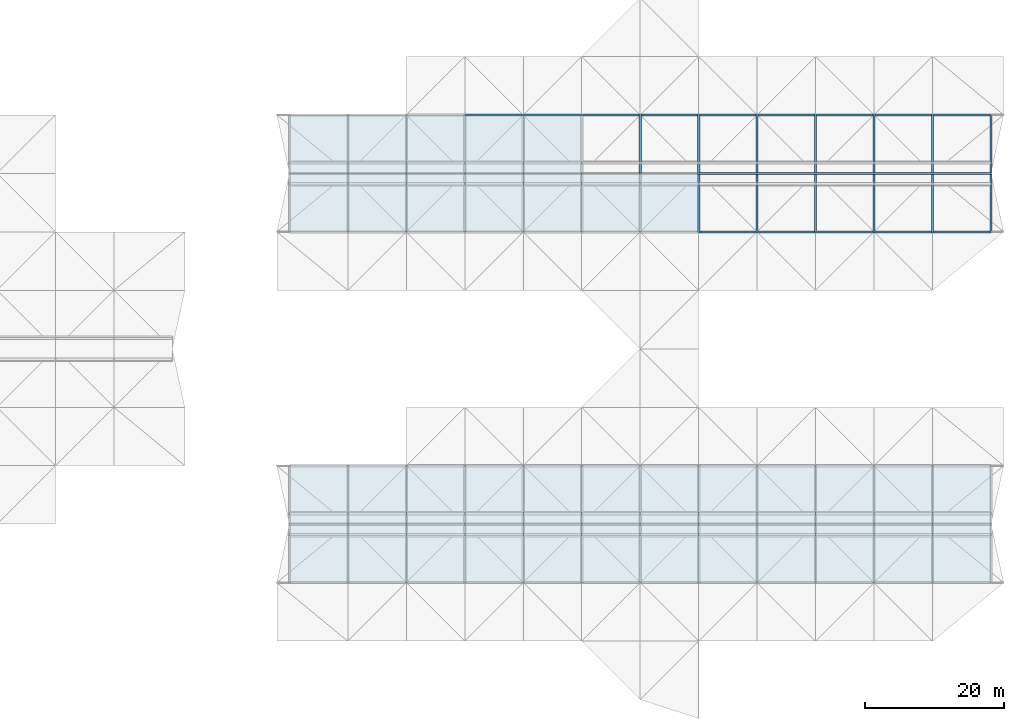
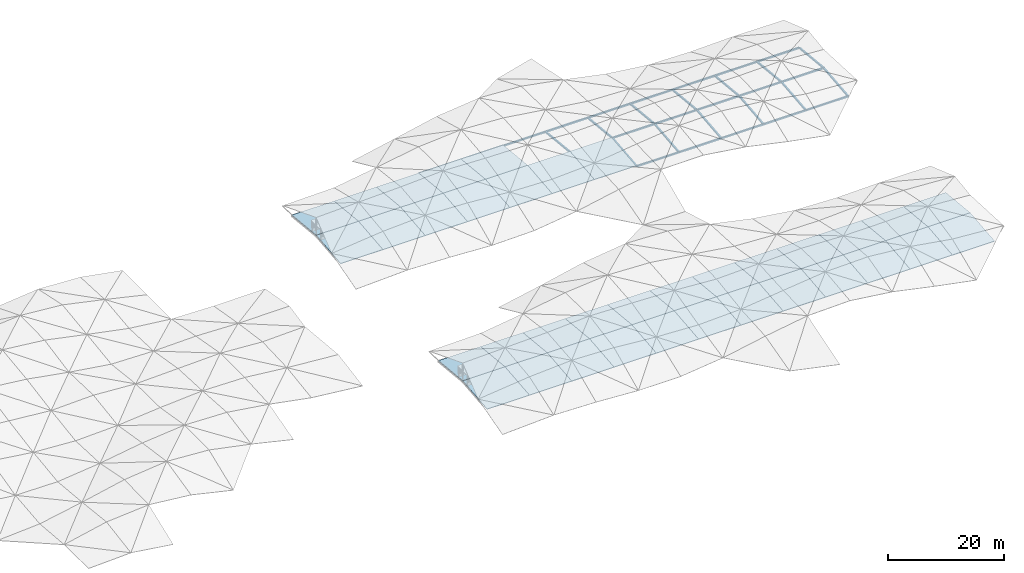
# One storey, part 2 of 46: 36 slabs, 32 members.
"""IFC4 building model written with IfcOpenShell, lengths in metres."""

from ifc_helpers import new_model, si_unit, direction, frame, origin, origin_2d, place, context, subcontext, project, spatial, polyline, hollow_rectangle, outline, extrude, material, layer, layer_set, material_profile, profile_set, type_object, element, save


model = new_model("IFC4")

# Units and contexts
model_context = context("Model", 3, precision=1e-05, world=origin(), true_north=direction((0.0, 1.0)))
body_context = subcontext(model_context, "Body", "Model", "MODEL_VIEW")
ifc_project = project(units=[si_unit("LENGTHUNIT", "METRE"), si_unit("AREAUNIT", "SQUARE_METRE"), si_unit("VOLUMEUNIT", "CUBIC_METRE"), si_unit("PLANEANGLEUNIT", "RADIAN"), si_unit("MASSUNIT", "GRAM", prefix="KILO")], contexts=[model_context])

# Site, building, storey
site_placement = place(None, origin())
site = spatial("IfcSite", under=ifc_project, at=site_placement, CompositionType="ELEMENT")
building_placement = place(site_placement, origin())
building = spatial("IfcBuilding", under=site, at=building_placement, Name="Rain Tree Exposition and Congress Centre", CompositionType="ELEMENT")
storey_placement = place(building_placement, frame((0.0, 0.0, 27.0)))
storey = spatial("IfcBuildingStorey", under=building, at=storey_placement, Name="ROOF VAULT CREST", CompositionType="ELEMENT", Elevation=27.0)

# Members
ifc_material_1 = material(Name="Steel S355J2H", Category="steel")
ifc_material_profile = material_profile(ifc_material_1, hollow_rectangle(XDim=0.300048828125, YDim=0.300048828125, WallThickness=0.009033203125, at=origin_2d()), Name="RHS 300x300x9")
ifc_profile_set = profile_set([ifc_material_profile], Name="Steel S355J2H")
member_type = type_object("IfcMemberType", Name="Steel chord member RHS 300x300x9", PredefinedType="CHORD", material=ifc_profile_set)
for number, where, z_axis, x_axis, name in (
    (1, (201.60009765625, 168.0, 0.40087890625), (1.0, 0.0, 0.0), (0.0, 1.0, 0.0), "Top chord 104"),
    (2, (210.0, 168.0, 0.40087890625), (1.0, 0.0, 0.0), (0.0, 1.0, 0.0), "Top chord 105"),
):
    element("IfcMember", number, at=place(storey_placement, frame(where, z_axis=z_axis, x_axis=x_axis)), inside=storey, type_object=member_type, Name=name, PredefinedType="CHORD", context=body_context, shape_type="SweptSolid", body=[
        extrude(hollow_rectangle(XDim=0.300048828125, YDim=0.300048828125, WallThickness=0.009033203125, at=origin_2d()), origin(), (0.0, 0.0, 1.0), 8.39990234375),
    ])
member_1_placement = place(storey_placement, frame((218.39990234375, 168.0, 0.40087890625), z_axis=(1.0, 0.0, 0.0), x_axis=(0.0, 1.0, 0.0)))
element("IfcMember", 3, at=member_1_placement, inside=storey, type_object=member_type, Name="Top chord 106", PredefinedType="CHORD", context=body_context, shape_type="SweptSolid", body=[
    extrude(hollow_rectangle(XDim=0.300048828125, YDim=0.300048828125, WallThickness=0.009033203125, at=origin_2d()), origin(), (0.0, 0.0, 1.0), 8.400146484375),
])
member_2_placement = place(storey_placement, frame((226.800048828125, 168.0, 0.40087890625), z_axis=(1.0, 0.0, 0.0), x_axis=(0.0, 1.0, 0.0)))
element("IfcMember", 4, at=member_2_placement, inside=storey, type_object=member_type, Name="Top chord 107", PredefinedType="CHORD", context=body_context, shape_type="SweptSolid", body=[
    extrude(hollow_rectangle(XDim=0.300048828125, YDim=0.300048828125, WallThickness=0.009033203125, at=origin_2d()), origin(), (0.0, 0.0, 1.0), 8.39990234375),
])
member_3_placement = place(storey_placement, frame((235.199951171875, 168.0, 0.40087890625), z_axis=(1.0, 0.0, 0.0), x_axis=(0.0, 1.0, 0.0)))
element("IfcMember", 5, at=member_3_placement, inside=storey, type_object=member_type, Name="Top chord 108", PredefinedType="CHORD", context=body_context, shape_type="SweptSolid", body=[
    extrude(hollow_rectangle(XDim=0.300048828125, YDim=0.300048828125, WallThickness=0.009033203125, at=origin_2d()), origin(), (0.0, 0.0, 1.0), 8.400146484375),
])
for number, where, z_axis, x_axis, name in (
    (6, (201.60009765625, 176.39990234375, 1.25), (1.0, 0.0, 0.0), (0.0, 1.0, 0.0), "Top chord 116"),
    (7, (210.0, 176.39990234375, 1.25), (1.0, 0.0, 0.0), (0.0, 1.0, 0.0), "Top chord 117"),
):
    element("IfcMember", number, at=place(storey_placement, frame(where, z_axis=z_axis, x_axis=x_axis)), inside=storey, type_object=member_type, Name=name, PredefinedType="CHORD", context=body_context, shape_type="SweptSolid", body=[
        extrude(hollow_rectangle(XDim=0.300048828125, YDim=0.300048828125, WallThickness=0.009033203125, at=origin_2d()), origin(), (0.0, 0.0, 1.0), 8.39990234375),
    ])
member_4_placement = place(storey_placement, frame((218.39990234375, 176.39990234375, 1.25), z_axis=(1.0, 0.0, 0.0), x_axis=(0.0, 1.0, 0.0)))
element("IfcMember", 8, at=member_4_placement, inside=storey, type_object=member_type, Name="Top chord 118", PredefinedType="CHORD", context=body_context, shape_type="SweptSolid", body=[
    extrude(hollow_rectangle(XDim=0.300048828125, YDim=0.300048828125, WallThickness=0.009033203125, at=origin_2d()), origin(), (0.0, 0.0, 1.0), 8.400146484375),
])
member_5_placement = place(storey_placement, frame((226.800048828125, 176.39990234375, 1.25), z_axis=(1.0, 0.0, 0.0), x_axis=(0.0, 1.0, 0.0)))
element("IfcMember", 9, at=member_5_placement, inside=storey, type_object=member_type, Name="Top chord 119", PredefinedType="CHORD", context=body_context, shape_type="SweptSolid", body=[
    extrude(hollow_rectangle(XDim=0.300048828125, YDim=0.300048828125, WallThickness=0.009033203125, at=origin_2d()), origin(), (0.0, 0.0, 1.0), 8.39990234375),
])
member_6_placement = place(storey_placement, frame((235.199951171875, 176.39990234375, 1.25), z_axis=(1.0, 0.0, 0.0), x_axis=(0.0, 1.0, 0.0)))
element("IfcMember", 10, at=member_6_placement, inside=storey, type_object=member_type, Name="Top chord 120", PredefinedType="CHORD", context=body_context, shape_type="SweptSolid", body=[
    extrude(hollow_rectangle(XDim=0.300048828125, YDim=0.300048828125, WallThickness=0.009033203125, at=origin_2d()), origin(), (0.0, 0.0, 1.0), 8.400146484375),
])
member_7_placement = place(storey_placement, frame((168.0, 184.800048828125, 0.40087890625), z_axis=(1.0, 0.0, 0.0), x_axis=(0.0, 1.0, 0.0)))
element("IfcMember", 11, at=member_7_placement, inside=storey, type_object=member_type, Name="Top chord 124", PredefinedType="CHORD", context=body_context, shape_type="SweptSolid", body=[
    extrude(hollow_rectangle(XDim=0.300048828125, YDim=0.300048828125, WallThickness=0.009033203125, at=origin_2d()), origin(), (0.0, 0.0, 1.0), 8.39990234375),
])
member_8_placement = place(storey_placement, frame((176.39990234375, 184.800048828125, 0.40087890625), z_axis=(1.0, 0.0, 0.0), x_axis=(0.0, 1.0, 0.0)))
element("IfcMember", 12, at=member_8_placement, inside=storey, type_object=member_type, Name="Top chord 125", PredefinedType="CHORD", context=body_context, shape_type="SweptSolid", body=[
    extrude(hollow_rectangle(XDim=0.300048828125, YDim=0.300048828125, WallThickness=0.009033203125, at=origin_2d()), origin(), (0.0, 0.0, 1.0), 8.400146484375),
])
member_9_placement = place(storey_placement, frame((184.800048828125, 184.800048828125, 0.40087890625), z_axis=(1.0, 0.0, 0.0), x_axis=(0.0, 1.0, 0.0)))
element("IfcMember", 13, at=member_9_placement, inside=storey, type_object=member_type, Name="Top chord 126", PredefinedType="CHORD", context=body_context, shape_type="SweptSolid", body=[
    extrude(hollow_rectangle(XDim=0.300048828125, YDim=0.300048828125, WallThickness=0.009033203125, at=origin_2d()), origin(), (0.0, 0.0, 1.0), 8.39990234375),
])
member_10_placement = place(storey_placement, frame((193.199951171875, 184.800048828125, 0.40087890625), z_axis=(1.0, 0.0, 0.0), x_axis=(0.0, 1.0, 0.0)))
element("IfcMember", 14, at=member_10_placement, inside=storey, type_object=member_type, Name="Top chord 127", PredefinedType="CHORD", context=body_context, shape_type="SweptSolid", body=[
    extrude(hollow_rectangle(XDim=0.300048828125, YDim=0.300048828125, WallThickness=0.009033203125, at=origin_2d()), origin(), (0.0, 0.0, 1.0), 8.400146484375),
])
for number, where, z_axis, x_axis, name in (
    (15, (201.60009765625, 184.800048828125, 0.40087890625), (1.0, 0.0, 0.0), (0.0, 1.0, 0.0), "Top chord 128"),
    (16, (210.0, 184.800048828125, 0.40087890625), (1.0, 0.0, 0.0), (0.0, 1.0, 0.0), "Top chord 129"),
):
    element("IfcMember", number, at=place(storey_placement, frame(where, z_axis=z_axis, x_axis=x_axis)), inside=storey, type_object=member_type, Name=name, PredefinedType="CHORD", context=body_context, shape_type="SweptSolid", body=[
        extrude(hollow_rectangle(XDim=0.300048828125, YDim=0.300048828125, WallThickness=0.009033203125, at=origin_2d()), origin(), (0.0, 0.0, 1.0), 8.39990234375),
    ])
member_11_placement = place(storey_placement, frame((218.39990234375, 184.800048828125, 0.40087890625), z_axis=(1.0, 0.0, 0.0), x_axis=(0.0, 1.0, 0.0)))
element("IfcMember", 17, at=member_11_placement, inside=storey, type_object=member_type, Name="Top chord 130", PredefinedType="CHORD", context=body_context, shape_type="SweptSolid", body=[
    extrude(hollow_rectangle(XDim=0.300048828125, YDim=0.300048828125, WallThickness=0.009033203125, at=origin_2d()), origin(), (0.0, 0.0, 1.0), 8.400146484375),
])
member_12_placement = place(storey_placement, frame((226.800048828125, 184.800048828125, 0.40087890625), z_axis=(1.0, 0.0, 0.0), x_axis=(0.0, 1.0, 0.0)))
element("IfcMember", 18, at=member_12_placement, inside=storey, type_object=member_type, Name="Top chord 131", PredefinedType="CHORD", context=body_context, shape_type="SweptSolid", body=[
    extrude(hollow_rectangle(XDim=0.300048828125, YDim=0.300048828125, WallThickness=0.009033203125, at=origin_2d()), origin(), (0.0, 0.0, 1.0), 8.39990234375),
])
member_13_placement = place(storey_placement, frame((235.199951171875, 184.800048828125, 0.40087890625), z_axis=(1.0, 0.0, 0.0), x_axis=(0.0, 1.0, 0.0)))
element("IfcMember", 19, at=member_13_placement, inside=storey, type_object=member_type, Name="Top chord 132", PredefinedType="CHORD", context=body_context, shape_type="SweptSolid", body=[
    extrude(hollow_rectangle(XDim=0.300048828125, YDim=0.300048828125, WallThickness=0.009033203125, at=origin_2d()), origin(), (0.0, 0.0, 1.0), 8.400146484375),
])
member_14_placement = place(storey_placement, frame((193.199951171875, 176.39990234375, 1.25), z_axis=(0.0, 0.994929826536, -0.100571567899), x_axis=(-1.0, 0.0, 0.0)))
element("IfcMember", 20, at=member_14_placement, inside=storey, type_object=member_type, Name="Top chord 238", PredefinedType="CHORD", context=body_context, shape_type="SweptSolid", body=[
    extrude(hollow_rectangle(XDim=0.300048828125, YDim=0.300048828125, WallThickness=0.009033203125, at=origin_2d()), origin(), (0.0, 0.0, 1.0), 8.44287109375),
])
member_15_placement = place(storey_placement, frame((201.60009765625, 168.0, 0.40087890625), z_axis=(0.0, 0.994929534043, 0.100574461414), x_axis=(-1.0, 0.0, 0.0)))
element("IfcMember", 21, at=member_15_placement, inside=storey, type_object=member_type, Name="Top chord 249", PredefinedType="CHORD", context=body_context, shape_type="SweptSolid", body=[
    extrude(hollow_rectangle(XDim=0.300048828125, YDim=0.300048828125, WallThickness=0.009033203125, at=origin_2d()), origin(), (0.0, 0.0, 1.0), 8.442626953125),
])
member_16_placement = place(storey_placement, frame((201.60009765625, 176.39990234375, 1.25), z_axis=(0.0, 0.994929826536, -0.100571567899), x_axis=(-1.0, 0.0, 0.0)))
element("IfcMember", 22, at=member_16_placement, inside=storey, type_object=member_type, Name="Top chord 250", PredefinedType="CHORD", context=body_context, shape_type="SweptSolid", body=[
    extrude(hollow_rectangle(XDim=0.300048828125, YDim=0.300048828125, WallThickness=0.009033203125, at=origin_2d()), origin(), (0.0, 0.0, 1.0), 8.44287109375),
])
member_17_placement = place(storey_placement, frame((210.0, 168.0, 0.40087890625), z_axis=(0.0, 0.994929534043, 0.100574461414), x_axis=(-1.0, 0.0, 0.0)))
element("IfcMember", 23, at=member_17_placement, inside=storey, type_object=member_type, Name="Top chord 261", PredefinedType="CHORD", context=body_context, shape_type="SweptSolid", body=[
    extrude(hollow_rectangle(XDim=0.300048828125, YDim=0.300048828125, WallThickness=0.009033203125, at=origin_2d()), origin(), (0.0, 0.0, 1.0), 8.442626953125),
])
member_18_placement = place(storey_placement, frame((210.0, 176.39990234375, 1.25), z_axis=(0.0, 0.994929826536, -0.100571567899), x_axis=(-1.0, 0.0, 0.0)))
element("IfcMember", 24, at=member_18_placement, inside=storey, type_object=member_type, Name="Top chord 262", PredefinedType="CHORD", context=body_context, shape_type="SweptSolid", body=[
    extrude(hollow_rectangle(XDim=0.300048828125, YDim=0.300048828125, WallThickness=0.009033203125, at=origin_2d()), origin(), (0.0, 0.0, 1.0), 8.44287109375),
])
member_19_placement = place(storey_placement, frame((218.39990234375, 168.0, 0.40087890625), z_axis=(0.0, 0.994929534043, 0.100574461414), x_axis=(-1.0, 0.0, 0.0)))
element("IfcMember", 25, at=member_19_placement, inside=storey, type_object=member_type, Name="Top chord 273", PredefinedType="CHORD", context=body_context, shape_type="SweptSolid", body=[
    extrude(hollow_rectangle(XDim=0.300048828125, YDim=0.300048828125, WallThickness=0.009033203125, at=origin_2d()), origin(), (0.0, 0.0, 1.0), 8.442626953125),
])
member_20_placement = place(storey_placement, frame((218.39990234375, 176.39990234375, 1.25), z_axis=(0.0, 0.994929826536, -0.100571567899), x_axis=(-1.0, 0.0, 0.0)))
element("IfcMember", 26, at=member_20_placement, inside=storey, type_object=member_type, Name="Top chord 274", PredefinedType="CHORD", context=body_context, shape_type="SweptSolid", body=[
    extrude(hollow_rectangle(XDim=0.300048828125, YDim=0.300048828125, WallThickness=0.009033203125, at=origin_2d()), origin(), (0.0, 0.0, 1.0), 8.44287109375),
])
member_21_placement = place(storey_placement, frame((226.800048828125, 168.0, 0.40087890625), z_axis=(0.0, 0.994929534043, 0.100574461414), x_axis=(-1.0, 0.0, 0.0)))
element("IfcMember", 27, at=member_21_placement, inside=storey, type_object=member_type, Name="Top chord 285", PredefinedType="CHORD", context=body_context, shape_type="SweptSolid", body=[
    extrude(hollow_rectangle(XDim=0.300048828125, YDim=0.300048828125, WallThickness=0.009033203125, at=origin_2d()), origin(), (0.0, 0.0, 1.0), 8.442626953125),
])
member_22_placement = place(storey_placement, frame((226.800048828125, 176.39990234375, 1.25), z_axis=(0.0, 0.994929826536, -0.100571567899), x_axis=(-1.0, 0.0, 0.0)))
element("IfcMember", 28, at=member_22_placement, inside=storey, type_object=member_type, Name="Top chord 286", PredefinedType="CHORD", context=body_context, shape_type="SweptSolid", body=[
    extrude(hollow_rectangle(XDim=0.300048828125, YDim=0.300048828125, WallThickness=0.009033203125, at=origin_2d()), origin(), (0.0, 0.0, 1.0), 8.44287109375),
])
member_23_placement = place(storey_placement, frame((235.199951171875, 168.0, 0.40087890625), z_axis=(0.0, 0.994929534043, 0.100574461414), x_axis=(-1.0, 0.0, 0.0)))
element("IfcMember", 29, at=member_23_placement, inside=storey, type_object=member_type, Name="Top chord 297", PredefinedType="CHORD", context=body_context, shape_type="SweptSolid", body=[
    extrude(hollow_rectangle(XDim=0.300048828125, YDim=0.300048828125, WallThickness=0.009033203125, at=origin_2d()), origin(), (0.0, 0.0, 1.0), 8.442626953125),
])
member_24_placement = place(storey_placement, frame((235.199951171875, 176.39990234375, 1.25), z_axis=(0.0, 0.994929826536, -0.100571567899), x_axis=(-1.0, 0.0, 0.0)))
element("IfcMember", 30, at=member_24_placement, inside=storey, type_object=member_type, Name="Top chord 298", PredefinedType="CHORD", context=body_context, shape_type="SweptSolid", body=[
    extrude(hollow_rectangle(XDim=0.300048828125, YDim=0.300048828125, WallThickness=0.009033203125, at=origin_2d()), origin(), (0.0, 0.0, 1.0), 8.44287109375),
])
member_25_placement = place(storey_placement, frame((243.60009765625, 168.0, 0.40087890625), z_axis=(0.0, 0.994929534043, 0.100574461414), x_axis=(-1.0, 0.0, 0.0)))
element("IfcMember", 31, at=member_25_placement, inside=storey, type_object=member_type, Name="Top chord 309", PredefinedType="CHORD", context=body_context, shape_type="SweptSolid", body=[
    extrude(hollow_rectangle(XDim=0.300048828125, YDim=0.300048828125, WallThickness=0.009033203125, at=origin_2d()), origin(), (0.0, 0.0, 1.0), 8.442626953125),
])
member_26_placement = place(storey_placement, frame((243.60009765625, 176.39990234375, 1.25), z_axis=(0.0, 0.994929826536, -0.100571567899), x_axis=(-1.0, 0.0, 0.0)))
element("IfcMember", 32, at=member_26_placement, inside=storey, type_object=member_type, Name="Top chord 310", PredefinedType="CHORD", context=body_context, shape_type="SweptSolid", body=[
    extrude(hollow_rectangle(XDim=0.300048828125, YDim=0.300048828125, WallThickness=0.009033203125, at=origin_2d()), origin(), (0.0, 0.0, 1.0), 8.44287109375),
])

# Slabs
ifc_material_2 = material(Name="Insulated roof panel, S350GD+Z steel skins", Category="steel")
ifc_layer = layer(ifc_material_2, 0.1201171875)
ifc_layer_set = layer_set([ifc_layer], Name="Insulated roof panel, S350GD+Z steel skins")
slab_type = type_object("IfcSlabType", Name="Vault roof panel 120", PredefinedType="ROOF", material=ifc_layer_set)
slab_1_placement = place(storey_placement, frame((142.800048828125, 117.60009765625, 0.551025390625), z_axis=(0.0, -0.100545836468, 0.994932427238), x_axis=(1.0, 0.0, 0.0)))
element("IfcSlab", 33, at=slab_1_placement, inside=storey, type_object=slab_type, Name="Vault roof panel 25", PredefinedType="ROOF", context=body_context, shape_type="SweptSolid", body=[
    extrude(outline(polyline([(0.0, 0.0), (8.39990234375, 0.0), (8.39990234375, 8.442686270736555), (0.0, 8.442686270736555), (0.0, 0.0)])), origin(), (0.0, 0.0, -1.0), 0.1201171875),
])
slab_2_placement = place(storey_placement, frame((151.199951171875, 117.60009765625, 0.551025390625), z_axis=(0.0, -0.100545836468, 0.994932427238), x_axis=(1.0, 0.0, 0.0)))
element("IfcSlab", 34, at=slab_2_placement, inside=storey, type_object=slab_type, Name="Vault roof panel 26", PredefinedType="ROOF", context=body_context, shape_type="SweptSolid", body=[
    extrude(outline(polyline([(0.0, 0.0), (8.400146484375, 0.0), (8.400146484375, 8.442686270736555), (0.0, 8.442686270736555), (0.0, 0.0)])), origin(), (0.0, 0.0, -1.0), 0.1201171875),
])
for number, where, z_axis, x_axis, name in (
    (35, (159.60009765625, 117.60009765625, 0.551025390625), (0.0, -0.100545836468, 0.994932427238), (1.0, 0.0, 0.0), "Vault roof panel 27"),
    (36, (168.0, 117.60009765625, 0.551025390625), (0.0, -0.100545836468, 0.994932427238), (1.0, 0.0, 0.0), "Vault roof panel 28"),
):
    element("IfcSlab", number, at=place(storey_placement, frame(where, z_axis=z_axis, x_axis=x_axis)), inside=storey, type_object=slab_type, Name=name, PredefinedType="ROOF", context=body_context, shape_type="SweptSolid", body=[
        extrude(outline(polyline([(0.0, 0.0), (8.39990234375, 0.0), (8.39990234375, 8.442686270736555), (0.0, 8.442686270736555), (0.0, 0.0)])), origin(), (0.0, 0.0, -1.0), 0.1201171875),
    ])
slab_3_placement = place(storey_placement, frame((176.39990234375, 117.60009765625, 0.551025390625), z_axis=(0.0, -0.100545836468, 0.994932427238), x_axis=(1.0, 0.0, 0.0)))
element("IfcSlab", 37, at=slab_3_placement, inside=storey, type_object=slab_type, Name="Vault roof panel 29", PredefinedType="ROOF", context=body_context, shape_type="SweptSolid", body=[
    extrude(outline(polyline([(0.0, 0.0), (8.400146484375, 0.0), (8.400146484375, 8.442686270736555), (0.0, 8.442686270736555), (0.0, 0.0)])), origin(), (0.0, 0.0, -1.0), 0.1201171875),
])
slab_4_placement = place(storey_placement, frame((184.800048828125, 117.60009765625, 0.551025390625), z_axis=(0.0, -0.100545836468, 0.994932427238), x_axis=(1.0, 0.0, 0.0)))
element("IfcSlab", 38, at=slab_4_placement, inside=storey, type_object=slab_type, Name="Vault roof panel 30", PredefinedType="ROOF", context=body_context, shape_type="SweptSolid", body=[
    extrude(outline(polyline([(0.0, 0.0), (8.39990234375, 0.0), (8.39990234375, 8.442686270736555), (0.0, 8.442686270736555), (0.0, 0.0)])), origin(), (0.0, 0.0, -1.0), 0.1201171875),
])
slab_5_placement = place(storey_placement, frame((193.199951171875, 117.60009765625, 0.551025390625), z_axis=(0.0, -0.100545836468, 0.994932427238), x_axis=(1.0, 0.0, 0.0)))
element("IfcSlab", 39, at=slab_5_placement, inside=storey, type_object=slab_type, Name="Vault roof panel 31", PredefinedType="ROOF", context=body_context, shape_type="SweptSolid", body=[
    extrude(outline(polyline([(0.0, 0.0), (8.400146484375, 0.0), (8.400146484375, 8.442686270736555), (0.0, 8.442686270736555), (0.0, 0.0)])), origin(), (0.0, 0.0, -1.0), 0.1201171875),
])
for number, where, z_axis, x_axis, name in (
    (40, (201.60009765625, 117.60009765625, 0.551025390625), (0.0, -0.100545836468, 0.994932427238), (1.0, 0.0, 0.0), "Vault roof panel 32"),
    (41, (210.0, 117.60009765625, 0.551025390625), (0.0, -0.100545836468, 0.994932427238), (1.0, 0.0, 0.0), "Vault roof panel 33"),
):
    element("IfcSlab", number, at=place(storey_placement, frame(where, z_axis=z_axis, x_axis=x_axis)), inside=storey, type_object=slab_type, Name=name, PredefinedType="ROOF", context=body_context, shape_type="SweptSolid", body=[
        extrude(outline(polyline([(0.0, 0.0), (8.39990234375, 0.0), (8.39990234375, 8.442686270736555), (0.0, 8.442686270736555), (0.0, 0.0)])), origin(), (0.0, 0.0, -1.0), 0.1201171875),
    ])
slab_6_placement = place(storey_placement, frame((218.39990234375, 117.60009765625, 0.551025390625), z_axis=(0.0, -0.100545836468, 0.994932427238), x_axis=(1.0, 0.0, 0.0)))
element("IfcSlab", 42, at=slab_6_placement, inside=storey, type_object=slab_type, Name="Vault roof panel 34", PredefinedType="ROOF", context=body_context, shape_type="SweptSolid", body=[
    extrude(outline(polyline([(0.0, 0.0), (8.400146484375, 0.0), (8.400146484375, 8.442686270736555), (0.0, 8.442686270736555), (0.0, 0.0)])), origin(), (0.0, 0.0, -1.0), 0.1201171875),
])
slab_7_placement = place(storey_placement, frame((226.800048828125, 117.60009765625, 0.551025390625), z_axis=(0.0, -0.100545836468, 0.994932427238), x_axis=(1.0, 0.0, 0.0)))
element("IfcSlab", 43, at=slab_7_placement, inside=storey, type_object=slab_type, Name="Vault roof panel 35", PredefinedType="ROOF", context=body_context, shape_type="SweptSolid", body=[
    extrude(outline(polyline([(0.0, 0.0), (8.39990234375, 0.0), (8.39990234375, 8.442686270736555), (0.0, 8.442686270736555), (0.0, 0.0)])), origin(), (0.0, 0.0, -1.0), 0.1201171875),
])
slab_8_placement = place(storey_placement, frame((235.199951171875, 117.60009765625, 0.551025390625), z_axis=(0.0, -0.100545836468, 0.994932427238), x_axis=(1.0, 0.0, 0.0)))
element("IfcSlab", 44, at=slab_8_placement, inside=storey, type_object=slab_type, Name="Vault roof panel 36", PredefinedType="ROOF", context=body_context, shape_type="SweptSolid", body=[
    extrude(outline(polyline([(0.0, 0.0), (8.400146484375, 0.0), (8.400146484375, 8.442686270736555), (0.0, 8.442686270736555), (0.0, 0.0)])), origin(), (0.0, 0.0, -1.0), 0.1201171875),
])
slab_9_placement = place(storey_placement, frame((142.800048828125, 126.0, 1.39990234375), z_axis=(0.0, 0.100545836468, 0.994932427238), x_axis=(1.0, 0.0, 0.0)))
element("IfcSlab", 45, at=slab_9_placement, inside=storey, type_object=slab_type, Name="Vault roof panel 37", PredefinedType="ROOF", context=body_context, shape_type="SweptSolid", body=[
    extrude(outline(polyline([(0.0, 0.0), (8.39990234375, 0.0), (8.39990234375, 8.442686270736555), (0.0, 8.442686270736555), (0.0, 0.0)])), origin(), (0.0, 0.0, -1.0), 0.1201171875),
])
slab_10_placement = place(storey_placement, frame((151.199951171875, 126.0, 1.39990234375), z_axis=(0.0, 0.100545836468, 0.994932427238), x_axis=(1.0, 0.0, 0.0)))
element("IfcSlab", 46, at=slab_10_placement, inside=storey, type_object=slab_type, Name="Vault roof panel 38", PredefinedType="ROOF", context=body_context, shape_type="SweptSolid", body=[
    extrude(outline(polyline([(0.0, 0.0), (8.400146484375, 0.0), (8.400146484375, 8.442686270736555), (0.0, 8.442686270736555), (0.0, 0.0)])), origin(), (0.0, 0.0, -1.0), 0.1201171875),
])
for number, where, z_axis, x_axis, name in (
    (47, (159.60009765625, 126.0, 1.39990234375), (0.0, 0.100545836468, 0.994932427238), (1.0, 0.0, 0.0), "Vault roof panel 39"),
    (48, (168.0, 126.0, 1.39990234375), (0.0, 0.100545836468, 0.994932427238), (1.0, 0.0, 0.0), "Vault roof panel 40"),
):
    element("IfcSlab", number, at=place(storey_placement, frame(where, z_axis=z_axis, x_axis=x_axis)), inside=storey, type_object=slab_type, Name=name, PredefinedType="ROOF", context=body_context, shape_type="SweptSolid", body=[
        extrude(outline(polyline([(0.0, 0.0), (8.39990234375, 0.0), (8.39990234375, 8.442686270736555), (0.0, 8.442686270736555), (0.0, 0.0)])), origin(), (0.0, 0.0, -1.0), 0.1201171875),
    ])
slab_11_placement = place(storey_placement, frame((176.39990234375, 126.0, 1.39990234375), z_axis=(0.0, 0.100545836468, 0.994932427238), x_axis=(1.0, 0.0, 0.0)))
element("IfcSlab", 49, at=slab_11_placement, inside=storey, type_object=slab_type, Name="Vault roof panel 41", PredefinedType="ROOF", context=body_context, shape_type="SweptSolid", body=[
    extrude(outline(polyline([(0.0, 0.0), (8.400146484375, 0.0), (8.400146484375, 8.442686270736555), (0.0, 8.442686270736555), (0.0, 0.0)])), origin(), (0.0, 0.0, -1.0), 0.1201171875),
])
slab_12_placement = place(storey_placement, frame((184.800048828125, 126.0, 1.39990234375), z_axis=(0.0, 0.100545836468, 0.994932427238), x_axis=(1.0, 0.0, 0.0)))
element("IfcSlab", 50, at=slab_12_placement, inside=storey, type_object=slab_type, Name="Vault roof panel 42", PredefinedType="ROOF", context=body_context, shape_type="SweptSolid", body=[
    extrude(outline(polyline([(0.0, 0.0), (8.39990234375, 0.0), (8.39990234375, 8.442686270736555), (0.0, 8.442686270736555), (0.0, 0.0)])), origin(), (0.0, 0.0, -1.0), 0.1201171875),
])
slab_13_placement = place(storey_placement, frame((193.199951171875, 126.0, 1.39990234375), z_axis=(0.0, 0.100545836468, 0.994932427238), x_axis=(1.0, 0.0, 0.0)))
element("IfcSlab", 51, at=slab_13_placement, inside=storey, type_object=slab_type, Name="Vault roof panel 43", PredefinedType="ROOF", context=body_context, shape_type="SweptSolid", body=[
    extrude(outline(polyline([(0.0, 0.0), (8.400146484375, 0.0), (8.400146484375, 8.442686270736555), (0.0, 8.442686270736555), (0.0, 0.0)])), origin(), (0.0, 0.0, -1.0), 0.1201171875),
])
for number, where, z_axis, x_axis, name in (
    (52, (201.60009765625, 126.0, 1.39990234375), (0.0, 0.100545836468, 0.994932427238), (1.0, 0.0, 0.0), "Vault roof panel 44"),
    (53, (210.0, 126.0, 1.39990234375), (0.0, 0.100545836468, 0.994932427238), (1.0, 0.0, 0.0), "Vault roof panel 45"),
):
    element("IfcSlab", number, at=place(storey_placement, frame(where, z_axis=z_axis, x_axis=x_axis)), inside=storey, type_object=slab_type, Name=name, PredefinedType="ROOF", context=body_context, shape_type="SweptSolid", body=[
        extrude(outline(polyline([(0.0, 0.0), (8.39990234375, 0.0), (8.39990234375, 8.442686270736555), (0.0, 8.442686270736555), (0.0, 0.0)])), origin(), (0.0, 0.0, -1.0), 0.1201171875),
    ])
slab_14_placement = place(storey_placement, frame((218.39990234375, 126.0, 1.39990234375), z_axis=(0.0, 0.100545836468, 0.994932427238), x_axis=(1.0, 0.0, 0.0)))
element("IfcSlab", 54, at=slab_14_placement, inside=storey, type_object=slab_type, Name="Vault roof panel 46", PredefinedType="ROOF", context=body_context, shape_type="SweptSolid", body=[
    extrude(outline(polyline([(0.0, 0.0), (8.400146484375, 0.0), (8.400146484375, 8.442686270736555), (0.0, 8.442686270736555), (0.0, 0.0)])), origin(), (0.0, 0.0, -1.0), 0.1201171875),
])
slab_15_placement = place(storey_placement, frame((226.800048828125, 126.0, 1.39990234375), z_axis=(0.0, 0.100545836468, 0.994932427238), x_axis=(1.0, 0.0, 0.0)))
element("IfcSlab", 55, at=slab_15_placement, inside=storey, type_object=slab_type, Name="Vault roof panel 47", PredefinedType="ROOF", context=body_context, shape_type="SweptSolid", body=[
    extrude(outline(polyline([(0.0, 0.0), (8.39990234375, 0.0), (8.39990234375, 8.442686270736555), (0.0, 8.442686270736555), (0.0, 0.0)])), origin(), (0.0, 0.0, -1.0), 0.1201171875),
])
slab_16_placement = place(storey_placement, frame((235.199951171875, 126.0, 1.39990234375), z_axis=(0.0, 0.100545836468, 0.994932427238), x_axis=(1.0, 0.0, 0.0)))
element("IfcSlab", 56, at=slab_16_placement, inside=storey, type_object=slab_type, Name="Vault roof panel 48", PredefinedType="ROOF", context=body_context, shape_type="SweptSolid", body=[
    extrude(outline(polyline([(0.0, 0.0), (8.400146484375, 0.0), (8.400146484375, 8.442686270736555), (0.0, 8.442686270736555), (0.0, 0.0)])), origin(), (0.0, 0.0, -1.0), 0.1201171875),
])
slab_17_placement = place(storey_placement, frame((142.800048828125, 168.0, 0.551025390625), z_axis=(0.0, -0.100545836468, 0.994932427238), x_axis=(1.0, 0.0, 0.0)))
element("IfcSlab", 57, at=slab_17_placement, inside=storey, type_object=slab_type, Name="Vault roof panel 97", PredefinedType="ROOF", context=body_context, shape_type="SweptSolid", body=[
    extrude(outline(polyline([(0.0, 0.0), (8.39990234375, 0.0), (8.39990234375, 8.442686270736555), (0.0, 8.442686270736555), (0.0, 0.0)])), origin(), (0.0, 0.0, -1.0), 0.1201171875),
])
slab_18_placement = place(storey_placement, frame((151.199951171875, 168.0, 0.551025390625), z_axis=(0.0, -0.100545836468, 0.994932427238), x_axis=(1.0, 0.0, 0.0)))
element("IfcSlab", 58, at=slab_18_placement, inside=storey, type_object=slab_type, Name="Vault roof panel 98", PredefinedType="ROOF", context=body_context, shape_type="SweptSolid", body=[
    extrude(outline(polyline([(0.0, 0.0), (8.400146484375, 0.0), (8.400146484375, 8.442686270736555), (0.0, 8.442686270736555), (0.0, 0.0)])), origin(), (0.0, 0.0, -1.0), 0.1201171875),
])
for number, where, z_axis, x_axis, name in (
    (59, (159.60009765625, 168.0, 0.551025390625), (0.0, -0.100545836468, 0.994932427238), (1.0, 0.0, 0.0), "Vault roof panel 99"),
    (60, (168.0, 168.0, 0.551025390625), (0.0, -0.100545836468, 0.994932427238), (1.0, 0.0, 0.0), "Vault roof panel 100"),
):
    element("IfcSlab", number, at=place(storey_placement, frame(where, z_axis=z_axis, x_axis=x_axis)), inside=storey, type_object=slab_type, Name=name, PredefinedType="ROOF", context=body_context, shape_type="SweptSolid", body=[
        extrude(outline(polyline([(0.0, 0.0), (8.39990234375, 0.0), (8.39990234375, 8.442686270736555), (0.0, 8.442686270736555), (0.0, 0.0)])), origin(), (0.0, 0.0, -1.0), 0.1201171875),
    ])
slab_19_placement = place(storey_placement, frame((176.39990234375, 168.0, 0.551025390625), z_axis=(0.0, -0.100545836468, 0.994932427238), x_axis=(1.0, 0.0, 0.0)))
element("IfcSlab", 61, at=slab_19_placement, inside=storey, type_object=slab_type, Name="Vault roof panel 101", PredefinedType="ROOF", context=body_context, shape_type="SweptSolid", body=[
    extrude(outline(polyline([(0.0, 0.0), (8.400146484375, 0.0), (8.400146484375, 8.442686270736555), (0.0, 8.442686270736555), (0.0, 0.0)])), origin(), (0.0, 0.0, -1.0), 0.1201171875),
])
slab_20_placement = place(storey_placement, frame((184.800048828125, 168.0, 0.551025390625), z_axis=(0.0, -0.100545836468, 0.994932427238), x_axis=(1.0, 0.0, 0.0)))
element("IfcSlab", 62, at=slab_20_placement, inside=storey, type_object=slab_type, Name="Vault roof panel 102", PredefinedType="ROOF", context=body_context, shape_type="SweptSolid", body=[
    extrude(outline(polyline([(0.0, 0.0), (8.39990234375, 0.0), (8.39990234375, 8.442686270736555), (0.0, 8.442686270736555), (0.0, 0.0)])), origin(), (0.0, 0.0, -1.0), 0.1201171875),
])
slab_21_placement = place(storey_placement, frame((193.199951171875, 168.0, 0.551025390625), z_axis=(0.0, -0.100545836468, 0.994932427238), x_axis=(1.0, 0.0, 0.0)))
element("IfcSlab", 63, at=slab_21_placement, inside=storey, type_object=slab_type, Name="Vault roof panel 103", PredefinedType="ROOF", context=body_context, shape_type="SweptSolid", body=[
    extrude(outline(polyline([(0.0, 0.0), (8.400146484375, 0.0), (8.400146484375, 8.442686270736555), (0.0, 8.442686270736555), (0.0, 0.0)])), origin(), (0.0, 0.0, -1.0), 0.1201171875),
])
slab_22_placement = place(storey_placement, frame((142.800048828125, 176.39990234375, 1.39990234375), z_axis=(0.0, 0.100542943759, 0.994932719565), x_axis=(1.0, 0.0, 0.0)))
element("IfcSlab", 64, at=slab_22_placement, inside=storey, type_object=slab_type, Name="Vault roof panel 109", PredefinedType="ROOF", context=body_context, shape_type="SweptSolid", body=[
    extrude(outline(polyline([(0.0, 0.0), (8.39990234375, 0.0), (8.39990234375, 8.442929174196857), (0.0, 8.442929174196857), (0.0, 0.0)])), origin(), (0.0, 0.0, -1.0), 0.1201171875),
])
slab_23_placement = place(storey_placement, frame((151.199951171875, 176.39990234375, 1.39990234375), z_axis=(0.0, 0.100542943759, 0.994932719565), x_axis=(1.0, 0.0, 0.0)))
element("IfcSlab", 65, at=slab_23_placement, inside=storey, type_object=slab_type, Name="Vault roof panel 110", PredefinedType="ROOF", context=body_context, shape_type="SweptSolid", body=[
    extrude(outline(polyline([(0.0, 0.0), (8.400146484375, 0.0), (8.400146484375, 8.442929174196857), (0.0, 8.442929174196857), (0.0, 0.0)])), origin(), (0.0, 0.0, -1.0), 0.1201171875),
])
for number, where, z_axis, x_axis, name in (
    (66, (159.60009765625, 176.39990234375, 1.39990234375), (0.0, 0.100542943759, 0.994932719565), (1.0, 0.0, 0.0), "Vault roof panel 111"),
    (67, (168.0, 176.39990234375, 1.39990234375), (0.0, 0.100542943759, 0.994932719565), (1.0, 0.0, 0.0), "Vault roof panel 112"),
):
    element("IfcSlab", number, at=place(storey_placement, frame(where, z_axis=z_axis, x_axis=x_axis)), inside=storey, type_object=slab_type, Name=name, PredefinedType="ROOF", context=body_context, shape_type="SweptSolid", body=[
        extrude(outline(polyline([(0.0, 0.0), (8.39990234375, 0.0), (8.39990234375, 8.442929174196857), (0.0, 8.442929174196857), (0.0, 0.0)])), origin(), (0.0, 0.0, -1.0), 0.1201171875),
    ])
slab_24_placement = place(storey_placement, frame((176.39990234375, 176.39990234375, 1.39990234375), z_axis=(0.0, 0.100542943759, 0.994932719565), x_axis=(1.0, 0.0, 0.0)))
element("IfcSlab", 68, at=slab_24_placement, inside=storey, type_object=slab_type, Name="Vault roof panel 113", PredefinedType="ROOF", context=body_context, shape_type="SweptSolid", body=[
    extrude(outline(polyline([(0.0, 0.0), (8.400146484375, 0.0), (8.400146484375, 8.442929174196857), (0.0, 8.442929174196857), (0.0, 0.0)])), origin(), (0.0, 0.0, -1.0), 0.1201171875),
])

save(model, "model.ifc")
